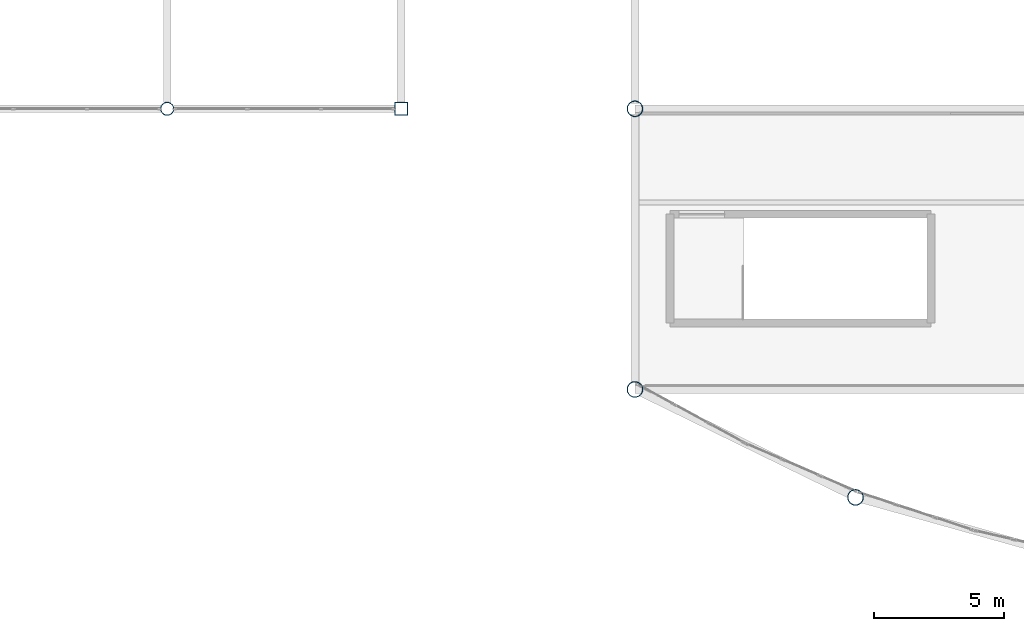
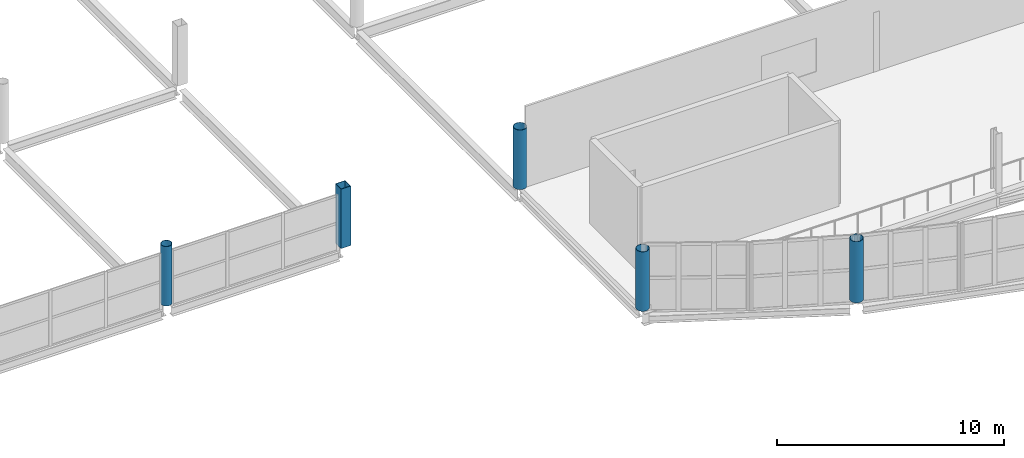
# One storey, part 2 of 134: 5 columns.
"""IFC4 building model written with IfcOpenShell, lengths in metres."""

from ifc_helpers import new_model, si_unit, direction, frame, origin, origin_2d, place, context, subcontext, project, spatial, hollow_rectangle, hollow_circle, extrude, material, material_profile, profile_set, type_object, element, save


model = new_model("IFC4")

# Units and contexts
model_context = context("Model", 3, precision=1e-05, world=origin(), true_north=direction((0.0, 1.0)))
body_context = subcontext(model_context, "Body", "Model", "MODEL_VIEW")
ifc_project = project(units=[si_unit("LENGTHUNIT", "METRE"), si_unit("AREAUNIT", "SQUARE_METRE"), si_unit("VOLUMEUNIT", "CUBIC_METRE"), si_unit("PLANEANGLEUNIT", "RADIAN"), si_unit("MASSUNIT", "GRAM", prefix="KILO")], contexts=[model_context])

# Site, building, storey
site_placement = place(None, origin())
site = spatial("IfcSite", under=ifc_project, at=site_placement, CompositionType="ELEMENT")
building_placement = place(site_placement, origin())
building = spatial("IfcBuilding", under=site, at=building_placement, Name="Tamarisk Ironworks Central Station", CompositionType="ELEMENT")
storey_placement = place(building_placement, frame((0.0, 0.0, 12.60009765625)))
storey = spatial("IfcBuildingStorey", under=building, at=storey_placement, Name="L02", CompositionType="ELEMENT", Elevation=12.60009765625)

# Columns
ifc_material_1 = material(Name="Structural steel S355J2H", Category="steel")
ifc_material_profile_1 = material_profile(ifc_material_1, hollow_rectangle(XDim=0.5, YDim=0.5, WallThickness=0.02001953125, at=origin_2d()), Name="SHS 500x500x20")
ifc_profile_set_1 = profile_set([ifc_material_profile_1], Name="Structural steel S355J2H")
column_type_1 = type_object("IfcColumnType", Name="COL-S13", PredefinedType="COLUMN", material=ifc_profile_set_1)
column_1_placement = place(storey_placement, frame((45.0, 21.60009765625, 0.0), z_axis=(0.0, 0.0, 1.0), x_axis=(1.0, 0.0, 0.0)))
element("IfcColumn", 1, at=column_1_placement, inside=storey, type_object=column_type_1, Name="L02 column V1-06C", PredefinedType="COLUMN", context=body_context, shape_type="SweptSolid", body=[
    extrude(hollow_rectangle(XDim=0.5, YDim=0.5, WallThickness=0.02001953125, at=origin_2d()), origin(), (0.0, 0.0, 1.0), 3.199951171875),
])
ifc_material_2 = material(Name="Painted structural steel S355J2", Category="steel")
ifc_material_profile_2 = material_profile(ifc_material_2, hollow_circle(Radius=0.304931640625, WallThickness=0.02001953125, at=origin_2d()), Name="CHS 610x20")
ifc_profile_set_2 = profile_set([ifc_material_profile_2], Name="Painted structural steel S355J2")
column_type_2 = type_object("IfcColumnType", Name="COL-S15", PredefinedType="COLUMN", material=ifc_profile_set_2)
for number, where, z_axis, x_axis, name in (
    (2, (54.0, 10.800048828125, 0.0), (0.0, 0.0, 1.0), (1.0, 0.0, 0.0), "L02 column V2-07B"),
    (3, (54.0, 21.60009765625, 0.0), (0.0, 0.0, 1.0), (1.0, 0.0, 0.0), "L02 column V2-07C"),
):
    element("IfcColumn", number, at=place(storey_placement, frame(where, z_axis=z_axis, x_axis=x_axis)), inside=storey, type_object=column_type_2, Name=name, PredefinedType="COLUMN", context=body_context, shape_type="SweptSolid", body=[
        extrude(hollow_circle(Radius=0.304931640625, WallThickness=0.02001953125, at=origin_2d()), origin(), (0.0, 0.0, 1.0), 3.199951171875),
    ])
column_2_placement = place(storey_placement, frame((62.48876953125, 6.6474609375, 0.0), z_axis=(0.0, 0.0, 1.0), x_axis=(1.0, 0.0, 0.0)))
element("IfcColumn", 4, at=column_2_placement, inside=storey, type_object=column_type_2, Name="L02 column V2-SN02", PredefinedType="COLUMN", context=body_context, shape_type="SweptSolid", body=[
    extrude(hollow_circle(Radius=0.304931640625, WallThickness=0.02001953125, at=origin_2d()), origin(), (0.0, 0.0, 1.0), 3.2998046875),
])
ifc_material_profile_3 = material_profile(ifc_material_1, hollow_circle(Radius=0.25390625, WallThickness=0.01611328125, at=origin_2d()), Name="CHS 508x16")
ifc_profile_set_3 = profile_set([ifc_material_profile_3], Name="Structural steel S355J2H")
column_type_3 = type_object("IfcColumnType", Name="COL-S16", PredefinedType="COLUMN", material=ifc_profile_set_3)
column_3_placement = place(storey_placement, frame((36.0, 21.60009765625, 0.0), z_axis=(0.0, 0.0, 1.0), x_axis=(1.0, 0.0, 0.0)))
element("IfcColumn", 5, at=column_3_placement, inside=storey, type_object=column_type_3, Name="L02 column V1-05C", PredefinedType="COLUMN", context=body_context, shape_type="SweptSolid", body=[
    extrude(hollow_circle(Radius=0.25390625, WallThickness=0.01611328125, at=origin_2d()), origin(), (0.0, 0.0, 1.0), 3.199951171875),
])

save(model, "model.ifc")
